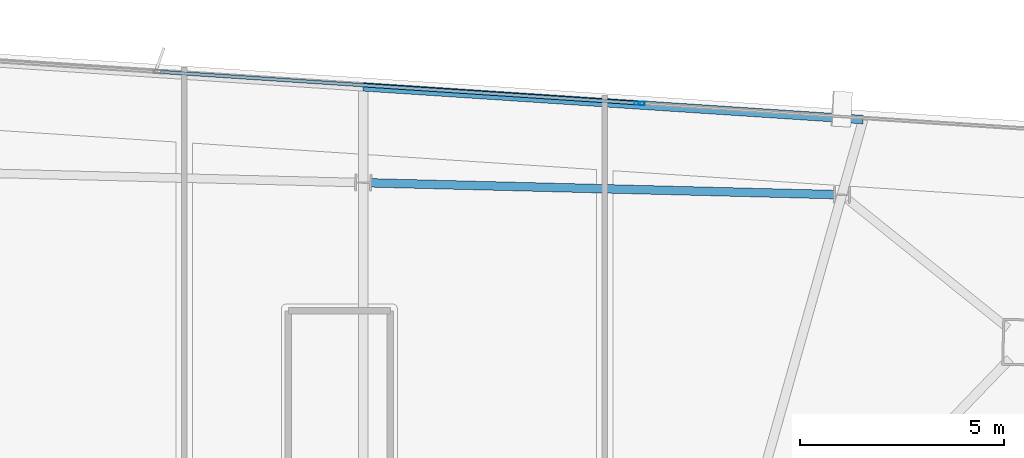
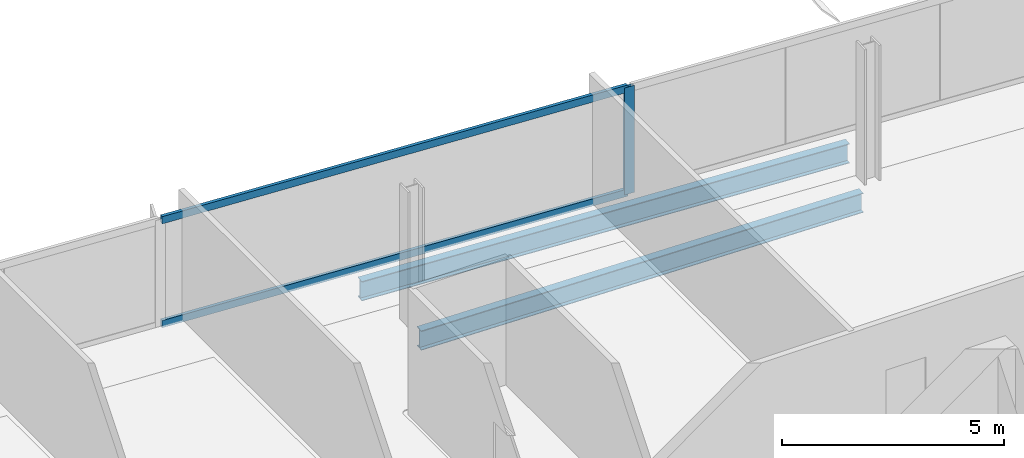
# One storey, part 14 of 24: 3 members, 2 beams, 1 element without a shape of its own.
"""IFC4 building model written with IfcOpenShell, lengths in metres."""

import ifcopenshell
import ifcopenshell.guid

model = None  # the IFC model being written
_history = None  # IfcOwnerHistory: only IFC2X3 demands one
_inside = {}  # id of a spatial element -> (the spatial element, [elements in it])
_under = {}  # id of a project, library or spatial element -> (it, [spatial elements below it])
_declared = {}  # id of a project -> (the project, [libraries it declares])
_typed = {}  # id of a type object -> (the type object, [elements of that type])
_made_of = {}  # id of a material, layer set ... -> (it, [elements and type objects made of it])


def new_model(schema):
    """Start an empty IFC model of exactly this schema.

    Asked for "IFC4X3", IfcOpenShell would pick the latest addendum, in which some entities
    have other attributes; the version numbers below select the first issue.
    IFC2X3 requires an IfcOwnerHistory on every rooted entity: one is made here for all.
    """
    global model, _history
    if schema == "IFC4X3":
        model = ifcopenshell.file(schema_version=(4, 3, 0, 0))
    else:
        model = ifcopenshell.file(schema=schema)
    _inside.clear()
    _under.clear()
    _declared.clear()
    _typed.clear()
    _made_of.clear()
    _history = None
    if model.schema == "IFC2X3":
        org = make("IfcOrganization", Name="unknown")
        user = make(
            "IfcPersonAndOrganization",
            ThePerson=make("IfcPerson", FamilyName="unknown"),
            TheOrganization=org,
        )
        app = make(
            "IfcApplication",
            ApplicationDeveloper=org,
            Version="unknown",
            ApplicationFullName="unknown",
            ApplicationIdentifier="unknown",
        )
        _history = make(
            "IfcOwnerHistory",
            OwningUser=user,
            OwningApplication=app,
            ChangeAction="ADDED",
            CreationDate=0,
        )
    return model


def make(cls, **values):
    """One entity of the class cls with the attributes given. An attribute that is None is left unset."""
    return model.create_entity(
        cls, **{name: value for name, value in values.items() if value is not None}
    )


def rooted(cls, **values):
    """An entity with a GlobalId (a new one), such as an element, a storey or a relation."""
    return make(cls, GlobalId=ifcopenshell.guid.new(), OwnerHistory=_history, **values)


def si_unit(unit_type, name, prefix=None):
    """IfcSIUnit, for example si_unit("LENGTHUNIT", "METRE", prefix="MILLI")."""
    return make("IfcSIUnit", UnitType=unit_type, Prefix=prefix, Name=name)


def assignment(units):
    """IfcUnitAssignment: the units of a project."""
    return None if units is None else make("IfcUnitAssignment", Units=units)


def point(xyz):
    """IfcCartesianPoint."""
    return None if xyz is None else make("IfcCartesianPoint", Coordinates=xyz)


def direction(xyz):
    """IfcDirection."""
    return None if xyz is None else make("IfcDirection", DirectionRatios=xyz)


def frame(location, z_axis=None, x_axis=None):
    """IfcAxis2Placement3D, a coordinate frame: its origin and axes. An axis left out is left unset."""
    return make(
        "IfcAxis2Placement3D",
        Location=point(location),
        Axis=direction(z_axis),
        RefDirection=direction(x_axis),
    )


def frame_2d(location, x_axis=None):
    """IfcAxis2Placement2D, a coordinate frame in the plane: its origin and x axis."""
    return make(
        "IfcAxis2Placement2D", Location=point(location), RefDirection=direction(x_axis)
    )


def origin():
    """The frame at (0, 0, 0) with its axes left unset."""
    return frame((0.0, 0.0, 0.0))


def origin_2d():
    """The frame at (0, 0) in the plane with its x axis left unset."""
    return frame_2d((0.0, 0.0))


def place(relative_to, where):
    """IfcLocalPlacement: puts the frame where relative to a parent placement (None: the world)."""
    return make(
        "IfcLocalPlacement", PlacementRelTo=relative_to, RelativePlacement=where
    )


def context(
    kind, dimensions, precision=None, world=None, true_north=None, identifier=None
):
    """IfcGeometricRepresentationContext, for example the 3D "Model" context."""
    return make(
        "IfcGeometricRepresentationContext",
        ContextIdentifier=identifier,
        ContextType=kind,
        CoordinateSpaceDimension=dimensions,
        Precision=precision,
        WorldCoordinateSystem=world,
        TrueNorth=true_north,
    )


def subcontext(parent, identifier, kind, view, scale=None):
    """IfcGeometricRepresentationSubContext, for example "Body" below "Model"."""
    return make(
        "IfcGeometricRepresentationSubContext",
        ContextIdentifier=identifier,
        ContextType=kind,
        ParentContext=parent,
        TargetScale=scale,
        TargetView=view,
    )


def project(units=None, contexts=None):
    """IfcProject with its units and contexts."""
    return rooted(
        "IfcProject",
        Name="project",
        RepresentationContexts=contexts,
        UnitsInContext=assignment(units),
    )


def spatial(cls, under=None, at=None, **own):
    """A site, building, storey or space (cls), placed at a placement, below another one or the project."""
    s = rooted(cls, ObjectPlacement=at, **own)
    if under is not None:
        _under.setdefault(under.id(), (under, []))[1].append(s)
    return s


def profile(cls, at=None, kind="AREA", **sizes):
    """A parametric profile (cls). Its sizes go by their IFC names, for example OverallWidth=200.0."""
    return make(cls, ProfileType=kind, Position=at, **sizes)


def hollow_rectangle(**sizes):
    """IfcRectangleHollowProfileDef."""
    return profile("IfcRectangleHollowProfileDef", **sizes)


def i_section(**sizes):
    """IfcIShapeProfileDef."""
    return profile("IfcIShapeProfileDef", **sizes)


def extrude(swept, where, along, depth):
    """IfcExtrudedAreaSolid: the profile swept, set in the frame where, extruded along a direction by depth."""
    return make(
        "IfcExtrudedAreaSolid",
        SweptArea=swept,
        Position=where,
        ExtrudedDirection=direction(along),
        Depth=depth,
    )


def shape(context_of_items, identifier, shape_type, items):
    """IfcShapeRepresentation: the items that make up one representation, for example the "Body"."""
    return make(
        "IfcShapeRepresentation",
        ContextOfItems=context_of_items,
        RepresentationIdentifier=identifier,
        RepresentationType=shape_type,
        Items=items,
    )


def material(Name=None, Category=None):
    """IfcMaterial."""
    return make("IfcMaterial", Name=Name, Category=Category)


def material_profile(
    of_material, cross_section, Name=None, Category=None, Priority=None
):
    """IfcMaterialProfile: a cross section and its material."""
    return make(
        "IfcMaterialProfile",
        Name=Name,
        Material=of_material,
        Profile=cross_section,
        Priority=Priority,
        Category=Category,
    )


def profile_set(profiles, Name=None, composite=None):
    """IfcMaterialProfileSet."""
    return make(
        "IfcMaterialProfileSet",
        Name=Name,
        MaterialProfiles=profiles,
        CompositeProfile=composite,
    )


def made_of(thing, what):
    """Note that an element or type object is made of a material, layer set ...; save() writes the relation."""
    if what is not None:
        _made_of.setdefault(what.id(), (what, []))[1].append(thing)
    return thing


def type_object(cls, material=None, **own):
    """A type object (cls), such as IfcWallType, which elements share."""
    return made_of(rooted(cls, **own), material)


def element(
    cls,
    number,
    at=None,
    inside=None,
    cuts=None,
    type_object=None,
    material=None,
    context=None,
    identifier="Body",
    shape_type=None,
    held_by="IfcProductDefinitionShape",
    body=None,
    shapes=None,
    **own,
):
    """One element of the class cls, such as IfcWall. Its Tag is "e" and its number.

    at: its placement. inside: the storey or other place that contains it. cuts: it is an
    opening in that element (IfcRelVoidsElement). A single representation is given by context,
    identifier, shape_type and body (its items); several are given by shapes. held_by: the class
    of the entity that holds the representations. save() writes the other relations.
    """
    e = rooted(cls, Tag="e%d" % number, ObjectPlacement=at, **own)
    if body is not None:
        shapes = [shape(context, identifier, shape_type, body)]
    if shapes is not None:
        e.Representation = make(held_by, Representations=shapes)
    if inside is not None:
        _inside.setdefault(inside.id(), (inside, []))[1].append(e)
    if cuts is not None:
        rooted(
            "IfcRelVoidsElement", RelatingBuildingElement=cuts, RelatedOpeningElement=e
        )
    if type_object is not None:
        _typed.setdefault(type_object.id(), (type_object, []))[1].append(e)
    return made_of(e, material)


def aggregate(whole, parts):
    """IfcRelAggregates: a whole, such as a stair, and the parts it consists of."""
    return rooted("IfcRelAggregates", RelatingObject=whole, RelatedObjects=parts)


def save(model, path):
    """Write the relations noted so far, then the file.

    IfcRelAggregates (storeys below a building ...), IfcRelContainedInSpatialStructure (elements
    in a storey), IfcRelDefinesByType, IfcRelAssociatesMaterial and IfcRelDeclares: one each for
    every whole, place, type object, material and project.
    """
    for whole, parts in _under.values():
        aggregate(whole, parts)
    for where, things in _inside.values():
        rooted(
            "IfcRelContainedInSpatialStructure",
            RelatedElements=things,
            RelatingStructure=where,
        )
    for kind, things in _typed.values():
        rooted("IfcRelDefinesByType", RelatedObjects=things, RelatingType=kind)
    for what, things in _made_of.values():
        rooted("IfcRelAssociatesMaterial", RelatedObjects=things, RelatingMaterial=what)
    for by, libraries in _declared.values():
        rooted("IfcRelDeclares", RelatingContext=by, RelatedDefinitions=libraries)
    model.write(path)


model = new_model("IFC4")

# Units and contexts
model_context = context("Model", 3, precision=1e-05, world=origin(), true_north=direction((0.0, 1.0)))
body_context = subcontext(model_context, "Body", "Model", "MODEL_VIEW")
ifc_project = project(units=[si_unit("LENGTHUNIT", "METRE"), si_unit("AREAUNIT", "SQUARE_METRE"), si_unit("VOLUMEUNIT", "CUBIC_METRE"), si_unit("PLANEANGLEUNIT", "RADIAN"), si_unit("MASSUNIT", "GRAM", prefix="KILO")], contexts=[model_context])

# Site, building, storey
site_placement = place(None, origin())
site = spatial("IfcSite", under=ifc_project, at=site_placement, CompositionType="ELEMENT")
building_placement = place(site_placement, origin())
building = spatial("IfcBuilding", under=site, at=building_placement, Name="Haldenkirk Collegiate Tower", CompositionType="ELEMENT")
storey_placement = place(building_placement, frame((0.0, 0.0, 317.699951171875)))
storey = spatial("IfcBuildingStorey", under=building, at=storey_placement, Name="L80", CompositionType="ELEMENT", Elevation=317.699951171875)

# Beams
ifc_material_1 = material(Name="Steel ASTM A992 Grade 50", Category="steel")
ifc_material_profile_1 = material_profile(ifc_material_1, i_section(OverallWidth=0.2099609375, OverallDepth=0.537109375, WebThickness=0.010986328125, FlangeThickness=0.017333984375, at=origin_2d()), Name="W21X68")
ifc_profile_set_1 = profile_set([ifc_material_profile_1], Name="Steel ASTM A992 Grade 50")
beam_type = type_object("IfcBeamType", Name="BM-SPANDREL-W21X68", PredefinedType="SPANDREL", material=ifc_profile_set_1)
beam_1_placement = place(storey_placement, frame((48.123779296875, 45.74951171875, -0.528564453125), z_axis=(-0.999679864584, 0.025301548267, 0.0), x_axis=(-0.025301548267, -0.999679864584, 0.0)))
element("IfcBeam", 1, at=beam_1_placement, inside=storey, type_object=beam_type, Name="L80 perimeter spandrel beam 06", PredefinedType="SPANDREL", context=body_context, shape_type="SweptSolid", body=[
    extrude(i_section(OverallWidth=0.2099609375, OverallDepth=0.537109375, WebThickness=0.010986328125, FlangeThickness=0.017333984375, at=origin_2d()), origin(), (0.0, 0.0, 1.0), 11.357177734375),
])
beam_2_placement = place(storey_placement, frame((48.8310546875, 47.5869140625, -0.528564453125), z_axis=(-0.997858119779, 0.065415386497, 0.0), x_axis=(-0.065415386497, -0.997858119779, 0.0)))
element("IfcBeam", 2, at=beam_2_placement, inside=storey, type_object=beam_type, Name="L80 outer facade edge beam 2A", PredefinedType="SPANDREL", context=body_context, shape_type="SweptSolid", body=[
    extrude(i_section(OverallWidth=0.2099609375, OverallDepth=0.537109375, WebThickness=0.010986328125, FlangeThickness=0.017333984375, at=origin_2d()), origin(), (0.0, 0.0, 1.0), 12.275146484375),
])

# Curtain wall, members
ifc_material_2 = material(Name="Anodised architectural bronze aluminium", Category="aluminium")
curtain_wall_type = type_object("IfcCurtainWallType", Name="CW-SYS1B-CONVEX-HI", PredefinedType="USERDEFINED", material=ifc_material_2)
curtain_wall_placement = place(storey_placement, origin())
curtain_wall = element("IfcCurtainWall", 3, at=curtain_wall_placement, inside=storey, type_object=curtain_wall_type, Name="L80 Upper tower high-wind convex bronze unitised curtain wall", ObjectType="UNITISED CURTAIN WALL", PredefinedType="USERDEFINED")
ifc_material_profile_2 = material_profile(ifc_material_2, hollow_rectangle(XDim=0.0849609375, YDim=0.25, WallThickness=0.0048828125, at=origin_2d()), Name="CW-MUL-1B")
ifc_profile_set_2 = profile_set([ifc_material_profile_2], Name="Anodised architectural bronze aluminium")
member_type_1 = type_object("IfcMemberType", Name="CW-MUL-1B", PredefinedType="MULLION", material=ifc_profile_set_2)
member_1_placement = place(storey_placement, frame((43.353759765625, 47.986083984375, 0.0), z_axis=(0.0, 0.0, 1.0), x_axis=(0.065401149336, 0.997859053006, 0.0)))
member_1 = element("IfcMember", 4, at=member_1_placement, type_object=member_type_1, Name="CW-1B mullion 3", PredefinedType="MULLION", context=body_context, shape_type="SweptSolid", body=[
    extrude(hollow_rectangle(XDim=0.0849609375, YDim=0.25, WallThickness=0.0048828125, at=origin_2d()), origin(), (0.0, 0.0, 1.0), 2.947998046875),
])
ifc_material_profile_3 = material_profile(ifc_material_2, hollow_rectangle(XDim=0.0849609375, YDim=0.199951171875, WallThickness=0.0048828125, at=origin_2d()), Name="CW-TRN-1B")
ifc_profile_set_3 = profile_set([ifc_material_profile_3], Name="Anodised architectural bronze aluminium")
member_type_2 = type_object("IfcMemberType", Name="CW-TRN-1B", PredefinedType="USERDEFINED", material=ifc_profile_set_3)
member_2_placement = place(storey_placement, frame((31.621337890625, 48.755126953125, 0.04248046875), z_axis=(0.997859402078, -0.065395823143, 0.0), x_axis=(0.065395823143, 0.997859402078, 0.0)))
member_2 = element("IfcMember", 5, at=member_2_placement, type_object=member_type_2, Name="CW-1B transom 2.1", ObjectType="TRANSOM", PredefinedType="USERDEFINED", context=body_context, shape_type="SweptSolid", body=[
    extrude(hollow_rectangle(XDim=0.0849609375, YDim=0.199951171875, WallThickness=0.0048828125, at=origin_2d()), origin(), (0.0, 0.0, 1.0), 11.715087890625),
])
member_3_placement = place(storey_placement, frame((31.621337890625, 48.755126953125, 2.905517578125), z_axis=(0.997859402078, -0.065395823143, 0.0), x_axis=(0.065395823143, 0.997859402078, 0.0)))
member_3 = element("IfcMember", 6, at=member_3_placement, type_object=member_type_2, Name="CW-1B transom 2.2", ObjectType="TRANSOM", PredefinedType="USERDEFINED", context=body_context, shape_type="SweptSolid", body=[
    extrude(hollow_rectangle(XDim=0.0849609375, YDim=0.199951171875, WallThickness=0.0048828125, at=origin_2d()), origin(), (0.0, 0.0, 1.0), 11.715087890625),
])
aggregate(curtain_wall, [member_1, member_2, member_3])

save(model, "model.ifc")
